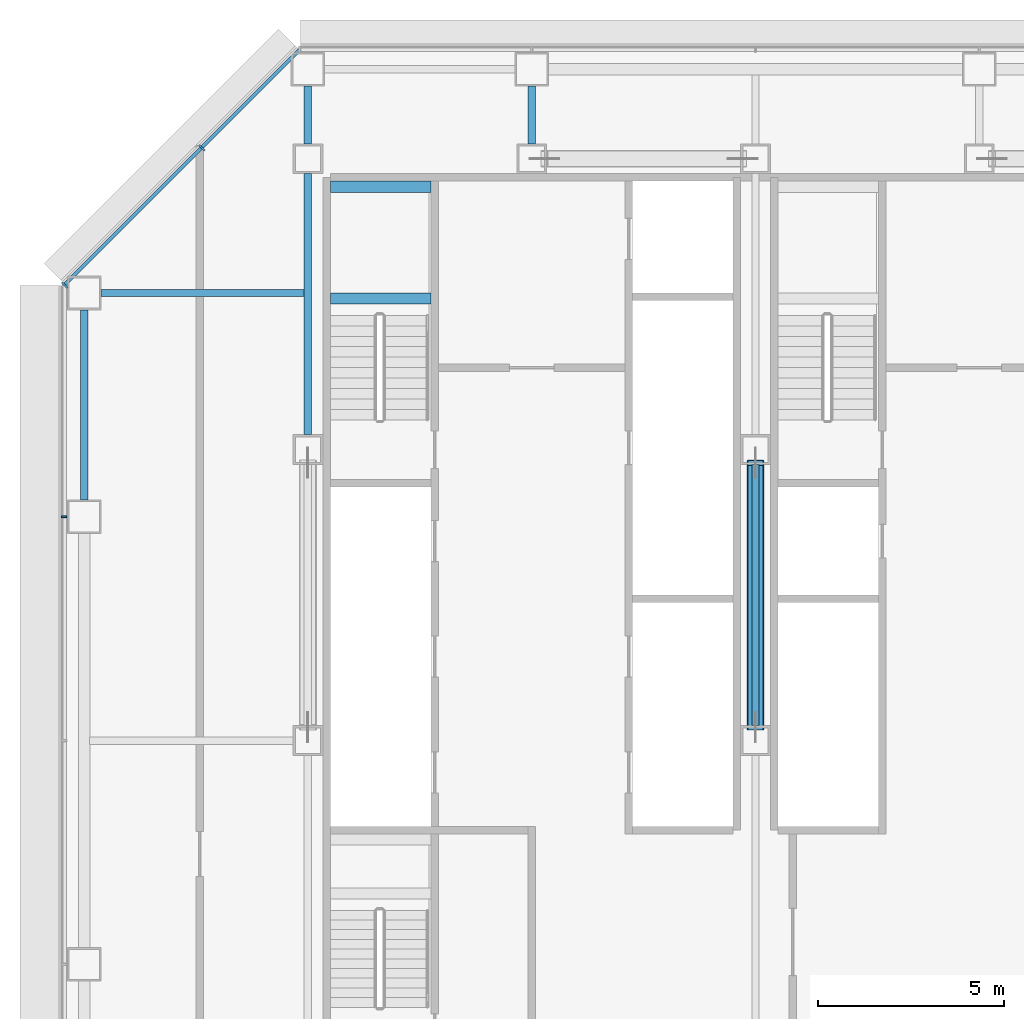
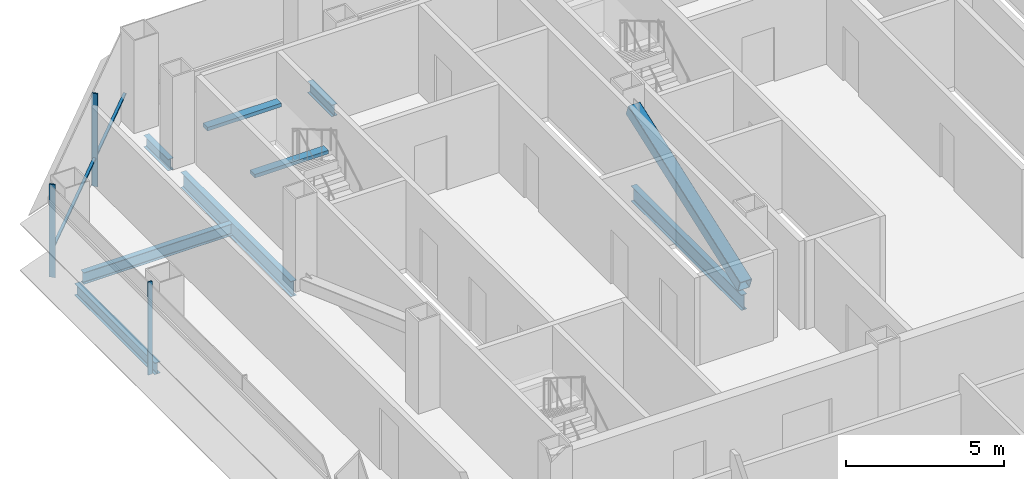
# One storey, part 11 of 26: 8 beams, 5 members, 2 elements without a shape of their own.
"""IFC4 building model written with IfcOpenShell, lengths in metres."""

from ifc_helpers import new_model, si_unit, direction, frame, origin, origin_2d, place, context, subcontext, project, spatial, rectangle, hollow_rectangle, i_section, extrude, material, material_profile, profile_set, type_object, element, aggregate, save


model = new_model("IFC4")

# Units and contexts
model_context = context("Model", 3, precision=1e-05, world=origin(), true_north=direction((0.0, 1.0)))
body_context = subcontext(model_context, "Body", "Model", "MODEL_VIEW")
ifc_project = project(units=[si_unit("LENGTHUNIT", "METRE"), si_unit("AREAUNIT", "SQUARE_METRE"), si_unit("VOLUMEUNIT", "CUBIC_METRE"), si_unit("PLANEANGLEUNIT", "RADIAN"), si_unit("MASSUNIT", "GRAM", prefix="KILO")], contexts=[model_context])

# Site, building, storey
site_placement = place(None, origin())
site = spatial("IfcSite", under=ifc_project, at=site_placement, CompositionType="ELEMENT")
building_placement = place(site_placement, origin())
building = spatial("IfcBuilding", under=site, at=building_placement, Name="Sorahane Residences", CompositionType="ELEMENT")
storey_placement = place(building_placement, frame((0.0, 0.0, 67.800048828125)))
storey = spatial("IfcBuildingStorey", under=building, at=storey_placement, Name="L13", CompositionType="ELEMENT", Elevation=67.800048828125)

# Member
ifc_material_1 = material(Name="Steel Q355B", Category="steel")
ifc_material_profile_1 = material_profile(ifc_material_1, hollow_rectangle(XDim=0.449951171875, YDim=0.449951171875, WallThickness=0.02197265625, InnerFilletRadius=0.010986328125, OuterFilletRadius=0.032958984375, at=origin_2d()), Name="RHS 450x450x22")
ifc_profile_set_1 = profile_set([ifc_material_profile_1], Name="Steel Q355B")
member_type_1 = type_object("IfcMemberType", Name="Core brace RHS 450x450x22 Q355B", PredefinedType="BRACE", material=ifc_profile_set_1)
member_1_placement = place(storey_placement, frame((18.0, 30.354248046875, 0.20849609375), z_axis=(0.0, 0.940886586011, 0.338721762313), x_axis=(-1.0, 0.0, 0.0)))
element("IfcMember", 1, at=member_1_placement, inside=storey, type_object=member_type_1, Name="Core brace L13 x18-1", PredefinedType="BRACE", context=body_context, shape_type="SweptSolid", body=[
    extrude(hollow_rectangle(XDim=0.449951171875, YDim=0.449951171875, WallThickness=0.02197265625, InnerFilletRadius=0.010986328125, OuterFilletRadius=0.032958984375, at=origin_2d()), origin(), (0.0, 0.0, 1.0), 7.537109375),
])

# Curtain wall, member
ifc_material_2 = material(Name="Dark low-e glass and black anodised aluminium", Category="aluminium")
curtain_wall_type_1 = type_object("IfcCurtainWallType", Name="Curtain wall CW-1 Typical unitised wall", PredefinedType="NOTDEFINED", material=ifc_material_2)
curtain_wall_1_placement = place(storey_placement, origin())
curtain_wall_1 = element("IfcCurtainWall", 2, at=curtain_wall_1_placement, inside=storey, type_object=curtain_wall_type_1, Name="CW-1 curtain wall L13 W1", PredefinedType="NOTDEFINED")
ifc_material_3 = material(Name="Black anodised aluminium", Category="aluminium")
ifc_material_profile_2 = material_profile(ifc_material_3, rectangle(XDim=0.159912109375, YDim=0.050048828125, at=origin_2d()), Name="Curtain wall mullion CW-1 black anodised aluminium 50x160")
ifc_profile_set_2 = profile_set([ifc_material_profile_2], Name="Black anodised aluminium")
member_type_2 = type_object("IfcMemberType", Name="Curtain wall mullion CW-1 black anodised aluminium 50x160", PredefinedType="MULLION", material=ifc_profile_set_2)
member_2_placement = place(storey_placement, frame((-0.5400390625, 36.0, -0.179931640625), z_axis=(0.0, 0.0, 1.0), x_axis=(-1.0, 0.0, 0.0)))
member_2 = element("IfcMember", 3, at=member_2_placement, type_object=member_type_2, Name="CW-1 mullion L13 W1.2", PredefinedType="MULLION", context=body_context, shape_type="SweptSolid", body=[
    extrude(rectangle(XDim=0.159912109375, YDim=0.050048828125, at=origin_2d()), origin(), (0.0, 0.0, 1.0), 3.599853515625),
])
aggregate(curtain_wall_1, [member_2])

# Curtain wall, members
ifc_material_4 = material(Name="Dark low-e glass and black anodised aluminium", Category="aluminium")
curtain_wall_type_2 = type_object("IfcCurtainWallType", Name="Curtain wall CW-2 Chamfer unitised wall", PredefinedType="NOTDEFINED", material=ifc_material_4)
curtain_wall_2_placement = place(storey_placement, origin())
curtain_wall_2 = element("IfcCurtainWall", 4, at=curtain_wall_2_placement, inside=storey, type_object=curtain_wall_type_2, Name="CW-2 curtain wall L13 NW1", PredefinedType="NOTDEFINED")
ifc_material_5 = material(Name="Black anodised aluminium", Category="aluminium")
ifc_material_profile_3 = material_profile(ifc_material_5, rectangle(XDim=0.199951171875, YDim=0.050048828125, at=origin_2d()), Name="Curtain wall mullion CW-2 black anodised aluminium 50x200")
ifc_profile_set_3 = profile_set([ifc_material_profile_3], Name="Black anodised aluminium")
member_type_3 = type_object("IfcMemberType", Name="Curtain wall mullion CW-2 black anodised aluminium 50x200", PredefinedType="MULLION", material=ifc_profile_set_3)
member_3_placement = place(storey_placement, frame((3.15673828125, 45.89208984375, -0.179931640625), z_axis=(0.0, 0.0, 1.0), x_axis=(-0.707106781187, 0.707106781187, 0.0)))
member_3 = element("IfcMember", 5, at=member_3_placement, type_object=member_type_3, Name="CW-2 mullion L13 NW1.2", PredefinedType="MULLION", context=body_context, shape_type="SweptSolid", body=[
    extrude(rectangle(XDim=0.199951171875, YDim=0.050048828125, at=origin_2d()), origin(), (0.0, 0.0, 1.0), 3.599853515625),
])
member_4_placement = place(storey_placement, frame((-0.525634765625, 42.209716796875, -0.179931640625), z_axis=(0.0, 0.0, 1.0), x_axis=(-0.707106781187, 0.707106781187, 0.0)))
member_4 = element("IfcMember", 6, at=member_4_placement, type_object=member_type_3, Name="CW-2 mullion L13 NW1.3", PredefinedType="MULLION", context=body_context, shape_type="SweptSolid", body=[
    extrude(rectangle(XDim=0.199951171875, YDim=0.050048828125, at=origin_2d()), origin(), (0.0, 0.0, 1.0), 3.599853515625),
])
ifc_material_6 = material(Name="Black anodised aluminium", Category="aluminium")
ifc_material_profile_4 = material_profile(ifc_material_6, rectangle(XDim=0.10009765625, YDim=0.06005859375, at=origin_2d()), Name="Curtain wall transom CW-2 black anodised aluminium 60x100")
ifc_profile_set_4 = profile_set([ifc_material_profile_4], Name="Black anodised aluminium")
member_type_4 = type_object("IfcMemberType", Name="Curtain wall transom CW-2 black anodised aluminium 60x100", PredefinedType="USERDEFINED", material=ifc_profile_set_4)
member_5_placement = place(storey_placement, frame((5.765625, 48.51513671875, 0.89990234375), z_axis=(-0.707106781187, -0.707106781187, 0.0), x_axis=(0.707106781187, -0.707106781187, 0.0)))
member_5 = element("IfcMember", 7, at=member_5_placement, type_object=member_type_4, Name="CW-2 transom L13 NW1", ObjectType="TRANSOM", PredefinedType="USERDEFINED", context=body_context, shape_type="SweptSolid", body=[
    extrude(rectangle(XDim=0.10009765625, YDim=0.06005859375, at=origin_2d()), origin(), (0.0, 0.0, 1.0), 8.88232421875),
])
aggregate(curtain_wall_2, [member_3, member_4, member_5])

# Beams
ifc_material_7 = material(Name="Concrete C40", Category="concrete")
ifc_material_profile_5 = material_profile(ifc_material_7, rectangle(XDim=0.300048828125, YDim=0.139892578125, at=origin_2d()), Name="300x140")
ifc_profile_set_5 = profile_set([ifc_material_profile_5], Name="Concrete C40")
beam_type_1 = type_object("IfcBeamType", Name="RC landing beam 300 x 140 Concrete C40", PredefinedType="BEAM", material=ifc_profile_set_5)
for number, where, z_axis, x_axis, name in (
    (8, (6.60009765625, 41.85009765625, 1.530029296875), (1.0, 0.0, 0.0), (0.0, 1.0, 0.0), "Landing beam"),
    (9, (6.60009765625, 44.85009765625, 1.530029296875), (1.0, 0.0, 0.0), (0.0, 1.0, 0.0), "Landing beam"),
):
    element("IfcBeam", number, at=place(storey_placement, frame(where, z_axis=z_axis, x_axis=x_axis)), inside=storey, type_object=beam_type_1, Name=name, PredefinedType="BEAM", context=body_context, shape_type="SweptSolid", body=[
        extrude(rectangle(XDim=0.300048828125, YDim=0.139892578125, at=origin_2d()), origin(), (0.0, 0.0, 1.0), 2.699951171875),
    ])
ifc_material_8 = material(Name="Steel Q355B", Category="steel")
ifc_material_profile_6 = material_profile(ifc_material_8, i_section(OverallWidth=0.199951171875, OverallDepth=0.449951171875, WebThickness=0.009033203125, FlangeThickness=0.013916015625, FilletRadius=0.02001953125, at=origin_2d()), Name="HN 450x200x9x14")
ifc_profile_set_6 = profile_set([ifc_material_profile_6], Name="Steel Q355B")
beam_type_2 = type_object("IfcBeamType", Name="Steel floor beam HN 450x200x9x14 Q355B", PredefinedType="BEAM", material=ifc_profile_set_6)
beam_1_placement = place(storey_placement, frame((0.0, 36.449951171875, -0.405029296875), z_axis=(0.0, 1.0, 0.0), x_axis=(-1.0, 0.0, 0.0)))
element("IfcBeam", 10, at=beam_1_placement, inside=storey, type_object=beam_type_2, Name="Beam L13 020", PredefinedType="BEAM", context=body_context, shape_type="SweptSolid", body=[
    extrude(i_section(OverallWidth=0.199951171875, OverallDepth=0.449951171875, WebThickness=0.009033203125, FlangeThickness=0.013916015625, FilletRadius=0.02001953125, at=origin_2d()), origin(), (0.0, 0.0, 1.0), 5.10009765625),
])
for number, where, z_axis, x_axis, name in (
    (11, (6.0, 46.0, -0.405029296875), (0.0, 1.0, 0.0), (-1.0, 0.0, 0.0), "Beam L13 026"),
    (12, (12.0, 46.0, -0.405029296875), (0.0, 1.0, 0.0), (-1.0, 0.0, 0.0), "Beam L13 028"),
):
    element("IfcBeam", number, at=place(storey_placement, frame(where, z_axis=z_axis, x_axis=x_axis)), inside=storey, type_object=beam_type_2, Name=name, PredefinedType="BEAM", context=body_context, shape_type="SweptSolid", body=[
        extrude(i_section(OverallWidth=0.199951171875, OverallDepth=0.449951171875, WebThickness=0.009033203125, FlangeThickness=0.013916015625, FilletRadius=0.02001953125, at=origin_2d()), origin(), (0.0, 0.0, 1.0), 1.550048828125),
    ])
beam_2_placement = place(storey_placement, frame((0.449951171875, 42.0, -0.405029296875), z_axis=(1.0, 0.0, 0.0), x_axis=(0.0, 1.0, 0.0)))
element("IfcBeam", 13, at=beam_2_placement, inside=storey, type_object=beam_type_2, Name="Beam L13 079", PredefinedType="BEAM", context=body_context, shape_type="SweptSolid", body=[
    extrude(i_section(OverallWidth=0.199951171875, OverallDepth=0.449951171875, WebThickness=0.009033203125, FlangeThickness=0.013916015625, FilletRadius=0.02001953125, at=origin_2d()), origin(), (0.0, 0.0, 1.0), 5.449951171875),
])
ifc_material_9 = material(Name="Steel Q355B", Category="steel")
ifc_material_profile_7 = material_profile(ifc_material_9, i_section(OverallWidth=0.199951171875, OverallDepth=0.60009765625, WebThickness=0.010986328125, FlangeThickness=0.01708984375, FilletRadius=0.02392578125, at=origin_2d()), Name="HN 600x200x11x17")
ifc_profile_set_7 = profile_set([ifc_material_profile_7], Name="Steel Q355B")
beam_type_3 = type_object("IfcBeamType", Name="Steel floor beam HN 600x200x11x17 Q355B", PredefinedType="BEAM", material=ifc_profile_set_7)
for number, where, z_axis, x_axis, name in (
    (14, (6.0, 38.199951171875, -0.47998046875), (0.0, 1.0, 0.0), (-1.0, 0.0, 0.0), "Beam L13 025"),
    (15, (18.0, 30.39990234375, -0.47998046875), (0.0, 1.0, 0.0), (-1.0, 0.0, 0.0), "Beam L13 032"),
):
    element("IfcBeam", number, at=place(storey_placement, frame(where, z_axis=z_axis, x_axis=x_axis)), inside=storey, type_object=beam_type_3, Name=name, PredefinedType="BEAM", context=body_context, shape_type="SweptSolid", body=[
        extrude(i_section(OverallWidth=0.199951171875, OverallDepth=0.60009765625, WebThickness=0.010986328125, FlangeThickness=0.01708984375, FilletRadius=0.02392578125, at=origin_2d()), origin(), (0.0, 0.0, 1.0), 7.0),
    ])

save(model, "model.ifc")
